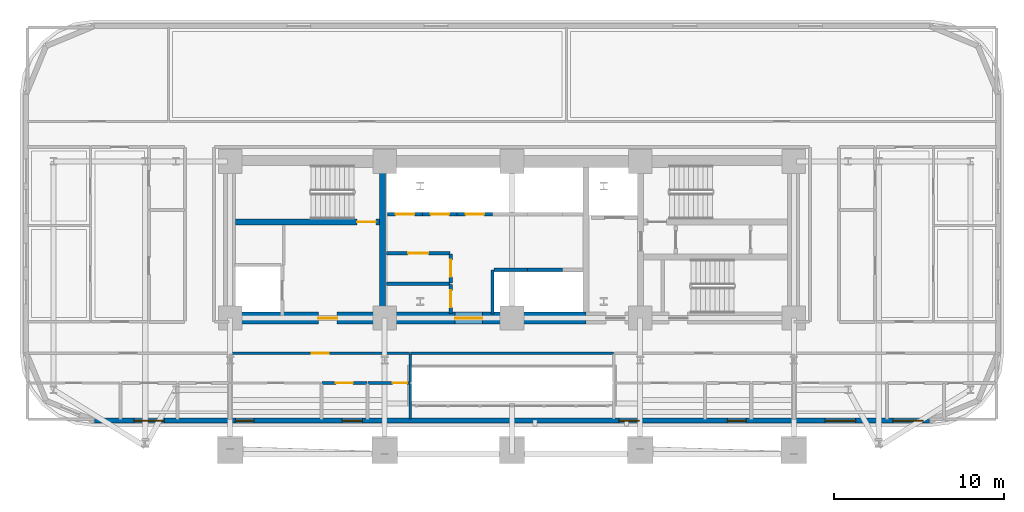
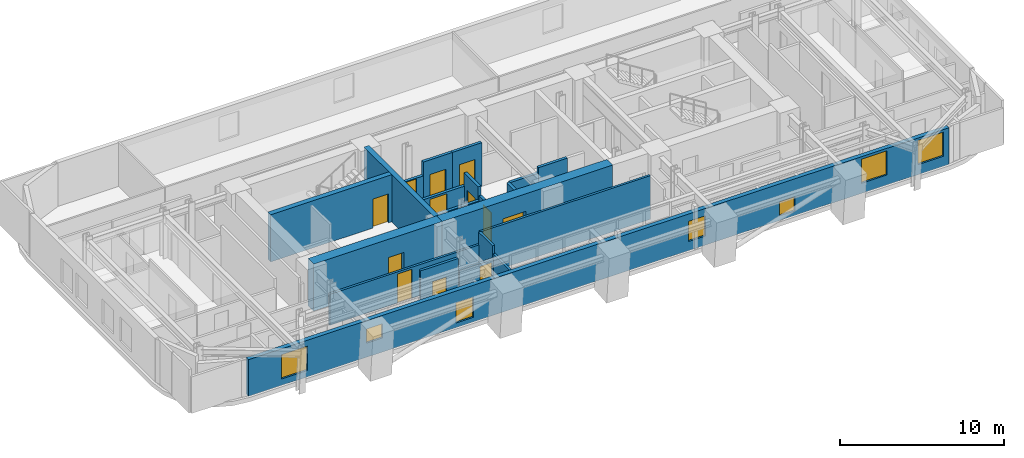
# One storey, part 8 of 15: 21 walls, 12 doors, 7 windows, 19 openings.
"""IFC4 building model written with IfcOpenShell, lengths in metres."""

from ifc_helpers import new_model, si_unit, direction, frame, frame_2d, origin, place, context, subcontext, project, spatial, rectangle, extrude, material, layer, layer_set, type_object, element, fill, save


model = new_model("IFC4")

# Units and contexts
model_context = context("Model", 3, precision=1e-05, world=origin(), true_north=direction((0.0, 1.0)))
body_context = subcontext(model_context, "Body", "Model", "MODEL_VIEW")
ifc_project = project(units=[si_unit("LENGTHUNIT", "METRE"), si_unit("AREAUNIT", "SQUARE_METRE"), si_unit("VOLUMEUNIT", "CUBIC_METRE"), si_unit("PLANEANGLEUNIT", "RADIAN"), si_unit("MASSUNIT", "GRAM", prefix="KILO")], contexts=[model_context])

# Site, building, storey
site_placement = place(None, origin())
site = spatial("IfcSite", under=ifc_project, at=site_placement, CompositionType="ELEMENT")
building_placement = place(site_placement, origin())
building = spatial("IfcBuilding", under=site, at=building_placement, Name="Zarnavel Station Tower", CompositionType="ELEMENT")
storey_placement = place(building_placement, frame((0.0, 0.0, 67.5)))
storey = spatial("IfcBuildingStorey", under=building, at=storey_placement, Name="L18", CompositionType="ELEMENT", Elevation=67.5)

# Wall
ifc_material_1 = material(Name="Concrete C50/60", Category="concrete")
ifc_layer_1 = layer(ifc_material_1, 0.35009765625)
ifc_layer_set_1 = layer_set([ifc_layer_1], Name="CW_350")
wall_type_1 = type_object("IfcWallType", Name="CW_350", PredefinedType="SHEAR", material=ifc_layer_set_1)
wall_1_placement = place(storey_placement, frame((21.179931640625, 28.169921875, 0.0), z_axis=(0.0, 0.0, 1.0), x_axis=(0.0, 1.0, 0.0)))
element("IfcWall", 1, at=wall_1_placement, inside=storey, type_object=wall_type_1, Name="L18 Rear Core Shear Wall DIV-W", PredefinedType="SHEAR", context=body_context, shape_type="SweptSolid", body=[
    extrude(rectangle(XDim=8.530029296875, YDim=0.35009765625, at=frame_2d((4.26513671875, 0.0))), origin(), (0.0, 0.0, 1.0), 3.5),
])

# Wall, opening, door
wall_2_placement = place(storey_placement, frame((21.0048828125, 33.47998046875, 0.0), z_axis=(0.0, 0.0, 1.0), x_axis=(-1.0, 0.0, 0.0)))
wall_2 = element("IfcWall", 2, at=wall_2_placement, inside=storey, type_object=wall_type_1, Name="L18 Rear Core Shear Wall DIV-H1", PredefinedType="SHEAR", context=body_context, shape_type="SweptSolid", body=[
    extrude(rectangle(XDim=8.5048828125, YDim=0.35009765625, at=frame_2d((4.25244140625, 0.0))), origin(), (0.0, 0.0, 1.0), 3.5),
])
opening_1_placement = place(wall_2_placement, frame((0.219970703125, 0.0, 0.0)))
opening_1 = element("IfcOpeningElement", 3, at=opening_1_placement, cuts=wall_2, Name="Opening FD01", PredefinedType="OPENING", context=body_context, shape_type="SweptSolid", body=[
    extrude(rectangle(XDim=1.10009765625, YDim=2.14990234375, at=frame_2d((0.550048828125, 1.074951171875))), frame((0.0, 0.18505859375, 0.0), z_axis=(0.0, -1.0, 0.0), x_axis=(1.0, 0.0, 0.0)), (0.0, 0.0, 1.0), 0.3701171875),
])
ifc_material_2 = material(Name="Painted Galvanised Steel and Hardwood Leaf", Category="steel")
door_type_1 = type_object("IfcDoorType", Name="ID_STAIR_1100", OperationType="NOTDEFINED", PredefinedType="DOOR", material=ifc_material_2)
door_1_placement = place(opening_1_placement, origin())
door_1 = element("IfcDoor", 4, at=door_1_placement, inside=storey, type_object=door_type_1, Name="L18 Stair ST1 Lobby Fire Door", OperationType="SINGLE_SWING_LEFT", OverallHeight=2.14990234375, OverallWidth=1.10009765625, PredefinedType="DOOR", context=body_context, shape_type="SweptSolid", body=[
    extrude(rectangle(XDim=1.10009765625, YDim=2.14990234375, at=frame_2d((0.550048828125, 1.074951171875))), frame((0.0, 0.02490234375, 0.0), z_axis=(0.0, -1.0, 0.0), x_axis=(1.0, 0.0, 0.0)), (0.0, 0.0, 1.0), 0.050048828125),
])
fill(opening_1, door_1)

ifc_material_3 = material(Name="Concrete C60/75", Category="concrete")
ifc_layer_2 = layer(ifc_material_3, 0.699951171875)
ifc_layer_set_2 = layer_set([ifc_layer_2], Name="CW_700")
wall_type_2 = type_object("IfcWallType", Name="CW_700", PredefinedType="SHEAR", material=ifc_layer_set_2)
wall_3_placement = place(storey_placement, frame((21.179931640625, 27.820068359375, 0.0), z_axis=(0.0, 0.0, 1.0), x_axis=(-1.0, 0.0, 0.0)))
wall_3 = element("IfcWall", 5, at=wall_3_placement, inside=storey, type_object=wall_type_2, Name="L18 Rear Core Shear Wall S-W", PredefinedType="SHEAR", context=body_context, shape_type="SweptSolid", body=[
    extrude(rectangle(XDim=9.030029296875, YDim=0.699951171875, at=frame_2d((4.51513671875, 0.0))), origin(), (0.0, 0.0, 1.0), 3.5),
])
opening_2_placement = place(wall_3_placement, frame((2.679931640625, 0.0, 0.0)))
opening_2 = element("IfcOpeningElement", 6, at=opening_2_placement, cuts=wall_3, Name="Opening FD01", PredefinedType="OPENING", context=body_context, shape_type="SweptSolid", body=[
    extrude(rectangle(XDim=1.10009765625, YDim=2.14990234375, at=frame_2d((0.550048828125, 1.074951171875))), frame((0.0, 0.35986328125, 0.0), z_axis=(0.0, -1.0, 0.0), x_axis=(1.0, 0.0, 0.0)), (0.0, 0.0, 1.0), 0.719970703125),
])
door_2_placement = place(opening_2_placement, origin())
door_2 = element("IfcDoor", 7, at=door_2_placement, inside=storey, type_object=door_type_1, Name="L18 West Firefighting Lobby Door", OperationType="SINGLE_SWING_RIGHT", OverallHeight=2.14990234375, OverallWidth=1.10009765625, PredefinedType="DOOR", context=body_context, shape_type="SweptSolid", body=[
    extrude(rectangle(XDim=1.10009765625, YDim=2.14990234375, at=frame_2d((0.550048828125, 1.074951171875))), frame((0.0, 0.02490234375, 0.0), z_axis=(0.0, -1.0, 0.0), x_axis=(1.0, 0.0, 0.0)), (0.0, 0.0, 1.0), 0.050048828125),
])
fill(opening_2, door_2)

wall_4_placement = place(storey_placement, frame((33.14990234375, 27.820068359375, 0.0), z_axis=(0.0, 0.0, 1.0), x_axis=(-1.0, 0.0, 0.0)))
wall_4 = element("IfcWall", 8, at=wall_4_placement, inside=storey, type_object=wall_type_2, Name="L18 Rear Core Shear Wall S-M", PredefinedType="SHEAR", context=body_context, shape_type="SweptSolid", body=[
    extrude(rectangle(XDim=11.969970703125, YDim=0.699951171875, at=frame_2d((5.98486328125, 0.0))), origin(), (0.0, 0.0, 1.0), 3.5),
])
opening_3_placement = place(wall_4_placement, frame((6.10009765625, 0.0, 0.0)))
opening_3 = element("IfcOpeningElement", 9, at=opening_3_placement, cuts=wall_4, Name="Opening ID03", PredefinedType="OPENING", context=body_context, shape_type="SweptSolid", body=[
    extrude(rectangle(XDim=1.60009765625, YDim=2.199951171875, at=frame_2d((0.800048828125, 1.10009765625))), frame((0.0, 0.35986328125, 0.0), z_axis=(0.0, -1.0, 0.0), x_axis=(1.0, 0.0, 0.0)), (0.0, 0.0, 1.0), 0.719970703125),
])
ifc_material_4 = material(Name="Painted Galvanised Steel and Hardwood Leaf", Category="steel")
door_type_2 = type_object("IfcDoorType", Name="ID_PUBLIC_1600", OperationType="DOUBLE_DOOR_SINGLE_SWING", PredefinedType="DOOR", material=ifc_material_4)
door_3_placement = place(opening_3_placement, origin())
door_3 = element("IfcDoor", 10, at=door_3_placement, inside=storey, type_object=door_type_2, Name="L18 Passenger Lift Lobby Double Door", OperationType="SINGLE_SWING_LEFT", OverallHeight=2.199951171875, OverallWidth=1.60009765625, PredefinedType="DOOR", context=body_context, shape_type="SweptSolid", body=[
    extrude(rectangle(XDim=1.60009765625, YDim=2.199951171875, at=frame_2d((0.800048828125, 1.10009765625))), frame((0.0, 0.02490234375, 0.0), z_axis=(0.0, -1.0, 0.0), x_axis=(1.0, 0.0, 0.0)), (0.0, 0.0, 1.0), 0.050048828125),
])
fill(opening_3, door_3)

# Wall, openings, windows
ifc_material_5 = material(Name="Precast concrete C45/55 (Dark Basalt Finish)", Category="masonry")
ifc_layer_3 = layer(ifc_material_5, 0.300048828125)
ifc_layer_set_3 = layer_set([ifc_layer_3], Name="EW_BASALT_300")
wall_type_3 = type_object("IfcWallType", Name="EW_BASALT_300", PredefinedType="SOLIDWALL", material=ifc_layer_set_3)
wall_5_placement = place(storey_placement, frame((53.39990234375, 21.780029296875, 0.0), z_axis=(0.0, 0.0, 1.0), x_axis=(-1.0, 0.0, 0.0)))
wall_5 = element("IfcWall", 11, at=wall_5_placement, inside=storey, type_object=wall_type_3, Name="L18 Exterior Basalt Masonry Frame Wall 12", PredefinedType="SOLIDWALL", context=body_context, shape_type="SweptSolid", body=[
    extrude(rectangle(XDim=49.199951171875, YDim=0.300048828125, at=frame_2d((24.60009765625, 0.0))), origin(), (0.0, 0.0, 1.0), 2.719970703125),
])
opening_4_placement = place(wall_5_placement, frame((45.071533203125, 0.0, 0.47998046875)))
opening_4 = element("IfcOpeningElement", 12, at=opening_4_placement, cuts=wall_5, Name="Opening WN02", PredefinedType="OPENING", context=body_context, shape_type="SweptSolid", body=[
    extrude(rectangle(XDim=1.800048828125, YDim=1.800048828125, at=frame_2d((0.89990234375, 0.89990234375))), frame((0.0, 0.159912109375, 0.0), z_axis=(0.0, -1.0, 0.0), x_axis=(1.0, 0.0, 0.0)), (0.0, 0.0, 1.0), 0.320068359375),
])
opening_5_placement = place(wall_5_placement, frame((39.800048828125, 0.0, 1.050048828125)))
opening_5 = element("IfcOpeningElement", 13, at=opening_5_placement, cuts=wall_5, Name="Opening WN09", PredefinedType="OPENING", context=body_context, shape_type="SweptSolid", body=[
    extrude(rectangle(XDim=1.10009765625, YDim=1.050048828125, at=frame_2d((0.550048828125, 0.52490234375))), frame((0.0, 0.159912109375, 0.0), z_axis=(0.0, -1.0, 0.0), x_axis=(1.0, 0.0, 0.0)), (0.0, 0.0, 1.0), 0.320068359375),
])
opening_6_placement = place(wall_5_placement, frame((33.407958984375, 0.0, 0.340087890625)))
opening_6 = element("IfcOpeningElement", 14, at=opening_6_placement, cuts=wall_5, Name="Opening WN08", PredefinedType="OPENING", context=body_context, shape_type="SweptSolid", body=[
    extrude(rectangle(XDim=1.199951171875, YDim=1.5, at=frame_2d((0.60009765625, 0.75))), frame((0.0, 0.159912109375, 0.0), z_axis=(0.0, -1.0, 0.0), x_axis=(1.0, 0.0, 0.0)), (0.0, 0.0, 1.0), 0.320068359375),
])
opening_7_placement = place(wall_5_placement, frame((17.10009765625, 0.0, 0.679931640625)))
opening_7 = element("IfcOpeningElement", 15, at=opening_7_placement, cuts=wall_5, Name="Opening WN08", PredefinedType="OPENING", context=body_context, shape_type="SweptSolid", body=[
    extrude(rectangle(XDim=1.199951171875, YDim=1.5, at=frame_2d((0.60009765625, 0.75))), frame((0.0, 0.159912109375, 0.0), z_axis=(0.0, -1.0, 0.0), x_axis=(1.0, 0.0, 0.0)), (0.0, 0.0, 1.0), 0.320068359375),
])
opening_8_placement = place(wall_5_placement, frame((10.80810546875, 0.0, 0.340087890625)))
opening_8 = element("IfcOpeningElement", 16, at=opening_8_placement, cuts=wall_5, Name="Opening WN09", PredefinedType="OPENING", context=body_context, shape_type="SweptSolid", body=[
    extrude(rectangle(XDim=1.10009765625, YDim=1.050048828125, at=frame_2d((0.550048828125, 0.52490234375))), frame((0.0, 0.159912109375, 0.0), z_axis=(0.0, -1.0, 0.0), x_axis=(1.0, 0.0, 0.0)), (0.0, 0.0, 1.0), 0.320068359375),
])
opening_9_placement = place(wall_5_placement, frame((4.35400390625, 0.0, 0.739990234375)))
opening_9 = element("IfcOpeningElement", 17, at=opening_9_placement, cuts=wall_5, Name="Opening WN02", PredefinedType="OPENING", context=body_context, shape_type="SweptSolid", body=[
    extrude(rectangle(XDim=1.800048828125, YDim=1.800048828125, at=frame_2d((0.89990234375, 0.89990234375))), frame((0.0, 0.159912109375, 0.0), z_axis=(0.0, -1.0, 0.0), x_axis=(1.0, 0.0, 0.0)), (0.0, 0.0, 1.0), 0.320068359375),
])
opening_10_placement = place(wall_5_placement, frame((0.364013671875, 0.0, 0.739990234375)))
opening_10 = element("IfcOpeningElement", 18, at=opening_10_placement, cuts=wall_5, Name="Opening WN02", PredefinedType="OPENING", context=body_context, shape_type="SweptSolid", body=[
    extrude(rectangle(XDim=1.800048828125, YDim=1.800048828125, at=frame_2d((0.89990234375, 0.89990234375))), frame((0.0, 0.159912109375, 0.0), z_axis=(0.0, -1.0, 0.0), x_axis=(1.0, 0.0, 0.0)), (0.0, 0.0, 1.0), 0.320068359375),
])
ifc_material_6 = material(Name="Thermally Broken Black Aluminium and Low-E Dark Glass", Category="aluminium")
window_type_1 = type_object("IfcWindowType", Name="WN_1100x1050", PartitioningType="SINGLE_PANEL", PredefinedType="WINDOW", material=ifc_material_6)
window_1_placement = place(opening_5_placement, origin())
window_1 = element("IfcWindow", 19, at=window_1_placement, inside=storey, type_object=window_type_1, Name="L18 Recessed Facade Window 02", OverallHeight=1.050048828125, OverallWidth=1.10009765625, PartitioningType="SINGLE_PANEL", PredefinedType="WINDOW", context=body_context, shape_type="SweptSolid", body=[
    extrude(rectangle(XDim=1.10009765625, YDim=1.050048828125, at=frame_2d((0.550048828125, 0.52490234375))), frame((0.0, 0.030029296875, 0.0), z_axis=(0.0, -1.0, 0.0), x_axis=(1.0, 0.0, 0.0)), (0.0, 0.0, 1.0), 0.06005859375),
])
fill(opening_5, window_1)
window_2_placement = place(opening_8_placement, origin())
window_2 = element("IfcWindow", 20, at=window_2_placement, inside=storey, type_object=window_type_1, Name="L18 Recessed Facade Window 05", OverallHeight=1.050048828125, OverallWidth=1.10009765625, PartitioningType="SINGLE_PANEL", PredefinedType="WINDOW", context=body_context, shape_type="SweptSolid", body=[
    extrude(rectangle(XDim=1.10009765625, YDim=1.050048828125, at=frame_2d((0.550048828125, 0.52490234375))), frame((0.0, 0.030029296875, 0.0), z_axis=(0.0, -1.0, 0.0), x_axis=(1.0, 0.0, 0.0)), (0.0, 0.0, 1.0), 0.06005859375),
])
fill(opening_8, window_2)
ifc_material_7 = material(Name="Thermally Broken Black Aluminium and Low-E Dark Glass", Category="aluminium")
window_type_2 = type_object("IfcWindowType", Name="WN_1200x1500", PartitioningType="SINGLE_PANEL", PredefinedType="WINDOW", material=ifc_material_7)
window_3_placement = place(opening_6_placement, origin())
window_3 = element("IfcWindow", 21, at=window_3_placement, inside=storey, type_object=window_type_2, Name="L18 Recessed Facade Window 03", OverallHeight=1.5, OverallWidth=1.199951171875, PartitioningType="SINGLE_PANEL", PredefinedType="WINDOW", context=body_context, shape_type="SweptSolid", body=[
    extrude(rectangle(XDim=1.199951171875, YDim=1.5, at=frame_2d((0.60009765625, 0.75))), frame((0.0, 0.030029296875, 0.0), z_axis=(0.0, -1.0, 0.0), x_axis=(1.0, 0.0, 0.0)), (0.0, 0.0, 1.0), 0.06005859375),
])
fill(opening_6, window_3)
window_4_placement = place(opening_7_placement, origin())
window_4 = element("IfcWindow", 22, at=window_4_placement, inside=storey, type_object=window_type_2, Name="L18 Recessed Facade Window 04", OverallHeight=1.5, OverallWidth=1.199951171875, PartitioningType="SINGLE_PANEL", PredefinedType="WINDOW", context=body_context, shape_type="SweptSolid", body=[
    extrude(rectangle(XDim=1.199951171875, YDim=1.5, at=frame_2d((0.60009765625, 0.75))), frame((0.0, 0.030029296875, 0.0), z_axis=(0.0, -1.0, 0.0), x_axis=(1.0, 0.0, 0.0)), (0.0, 0.0, 1.0), 0.06005859375),
])
fill(opening_7, window_4)
ifc_material_8 = material(Name="Thermally Broken Black Aluminium and Low-E Dark Glass", Category="aluminium")
window_type_3 = type_object("IfcWindowType", Name="WN_1800x1800", PartitioningType="DOUBLE_PANEL_VERTICAL", PredefinedType="WINDOW", material=ifc_material_8)
window_5_placement = place(opening_4_placement, origin())
window_5 = element("IfcWindow", 23, at=window_5_placement, inside=storey, type_object=window_type_3, Name="L18 Recessed Facade Window 01", OverallHeight=1.800048828125, OverallWidth=1.800048828125, PartitioningType="SINGLE_PANEL", PredefinedType="WINDOW", context=body_context, shape_type="SweptSolid", body=[
    extrude(rectangle(XDim=1.800048828125, YDim=1.800048828125, at=frame_2d((0.89990234375, 0.89990234375))), frame((0.0, 0.030029296875, 0.0), z_axis=(0.0, -1.0, 0.0), x_axis=(1.0, 0.0, 0.0)), (0.0, 0.0, 1.0), 0.06005859375),
])
fill(opening_4, window_5)
window_6_placement = place(opening_9_placement, origin())
window_6 = element("IfcWindow", 24, at=window_6_placement, inside=storey, type_object=window_type_3, Name="L18 Recessed Facade Window 06", OverallHeight=1.800048828125, OverallWidth=1.800048828125, PartitioningType="SINGLE_PANEL", PredefinedType="WINDOW", context=body_context, shape_type="SweptSolid", body=[
    extrude(rectangle(XDim=1.800048828125, YDim=1.800048828125, at=frame_2d((0.89990234375, 0.89990234375))), frame((0.0, 0.030029296875, 0.0), z_axis=(0.0, -1.0, 0.0), x_axis=(1.0, 0.0, 0.0)), (0.0, 0.0, 1.0), 0.06005859375),
])
fill(opening_9, window_6)
window_7_placement = place(opening_10_placement, origin())
window_7 = element("IfcWindow", 25, at=window_7_placement, inside=storey, type_object=window_type_3, Name="L18 Recessed Facade Window 07", OverallHeight=1.800048828125, OverallWidth=1.800048828125, PartitioningType="SINGLE_PANEL", PredefinedType="WINDOW", context=body_context, shape_type="SweptSolid", body=[
    extrude(rectangle(XDim=1.800048828125, YDim=1.800048828125, at=frame_2d((0.89990234375, 0.89990234375))), frame((0.0, 0.030029296875, 0.0), z_axis=(0.0, -1.0, 0.0), x_axis=(1.0, 0.0, 0.0)), (0.0, 0.0, 1.0), 0.06005859375),
])
fill(opening_10, window_7)

# Wall, opening, door
ifc_material_9 = material(Name="Gypsum Twin-Stud Acoustic Fire Partition", Category="concrete")
ifc_layer_4 = layer(ifc_material_9, 0.159912109375)
ifc_layer_set_4 = layer_set([ifc_layer_4], Name="PT_DEMISE_160")
wall_type_4 = type_object("IfcWallType", Name="PT_DEMISE_160", PredefinedType="PARTITIONING", material=ifc_layer_set_4)
wall_6_placement = place(storey_placement, frame((12.239990234375, 25.75, 0.0), z_axis=(0.0, 0.0, 1.0), x_axis=(1.0, 0.0, 0.0)))
wall_6 = element("IfcWall", 26, at=wall_6_placement, inside=storey, type_object=wall_type_4, Name="L18 Partition COR-S-UW2LV", PredefinedType="PARTITIONING", context=body_context, shape_type="SweptSolid", body=[
    extrude(rectangle(XDim=10.52001953125, YDim=0.159912109375, at=frame_2d((5.260009765625, 0.0))), origin(), (0.0, 0.0, 1.0), 2.31005859375),
])
opening_11_placement = place(wall_6_placement, frame((4.760009765625, 0.0, 0.0)))
opening_11 = element("IfcOpeningElement", 27, at=opening_11_placement, cuts=wall_6, Name="Opening FD02", PredefinedType="OPENING", context=body_context, shape_type="SweptSolid", body=[
    extrude(rectangle(XDim=1.0, YDim=2.14990234375, at=frame_2d((0.5, 1.074951171875))), frame((0.0, 0.08984375, 0.0), z_axis=(0.0, -1.0, 0.0), x_axis=(1.0, 0.0, 0.0)), (0.0, 0.0, 1.0), 0.179931640625),
])
ifc_material_10 = material(Name="Painted Galvanised Steel and Hardwood Leaf", Category="steel")
door_type_3 = type_object("IfcDoorType", Name="ID_ENTRY_1000", OperationType="NOTDEFINED", PredefinedType="DOOR", material=ifc_material_10)
door_4_placement = place(opening_11_placement, origin())
door_4 = element("IfcDoor", 28, at=door_4_placement, inside=storey, type_object=door_type_3, Name="L18 Door COR-S-UW2LV", OperationType="SINGLE_SWING_LEFT", OverallHeight=2.14990234375, OverallWidth=1.0, PredefinedType="DOOR", context=body_context, shape_type="SweptSolid", body=[
    extrude(rectangle(XDim=1.0, YDim=2.14990234375, at=frame_2d((0.5, 1.074951171875))), frame((0.0, 0.02490234375, 0.0), z_axis=(0.0, -1.0, 0.0), x_axis=(1.0, 0.0, 0.0)), (0.0, 0.0, 1.0), 0.050048828125),
])
fill(opening_11, door_4)

# Walls
wall_7_placement = place(storey_placement, frame((22.830078125, 25.75, 0.0), z_axis=(0.0, 0.0, 1.0), x_axis=(1.0, 0.0, 0.0)))
element("IfcWall", 29, at=wall_7_placement, inside=storey, type_object=wall_type_4, Name="L18 Enclosure Wall COR-S", PredefinedType="PARTITIONING", context=body_context, shape_type="SweptSolid", body=[
    extrude(rectangle(XDim=11.93994140625, YDim=0.159912109375, at=frame_2d((5.969970703125, 0.0))), origin(), (0.0, 0.0, 1.0), 3.239990234375),
])
wall_8_placement = place(storey_placement, frame((22.800048828125, 24.030029296875, 0.0), z_axis=(0.0, 0.0, 1.0), x_axis=(0.0, 1.0, 0.0)))
element("IfcWall", 30, at=wall_8_placement, inside=storey, type_object=wall_type_4, Name="L18 Enclosure Wall UW2LV", PredefinedType="PARTITIONING", context=body_context, shape_type="SweptSolid", body=[
    extrude(rectangle(XDim=1.68994140625, YDim=0.159912109375, at=frame_2d((0.844970703125, 0.0))), origin(), (0.0, 0.0, 1.0), 3.239990234375),
])
wall_9_placement = place(storey_placement, frame((22.800048828125, 21.889892578125, 0.0), z_axis=(0.0, 0.0, 1.0), x_axis=(0.0, 1.0, 0.0)))
element("IfcWall", 31, at=wall_9_placement, inside=storey, type_object=wall_type_4, Name="L18 Enclosure Wall UW2BA", PredefinedType="PARTITIONING", context=body_context, shape_type="SweptSolid", body=[
    extrude(rectangle(XDim=2.080078125, YDim=0.159912109375, at=frame_2d((1.0400390625, 0.0))), origin(), (0.0, 0.0, 1.0), 2.679931640625),
])
ifc_material_11 = material(Name="Precast concrete C45/55 (Fire Shaft Blockwork)", Category="masonry")
ifc_layer_5 = layer(ifc_material_11, 0.199951171875)
ifc_layer_set_5 = layer_set([ifc_layer_5], Name="PT_SHAFT_200")
wall_type_5 = type_object("IfcWallType", Name="PT_SHAFT_200", PredefinedType="PARTITIONING", material=ifc_layer_set_5)
wall_10_placement = place(storey_placement, frame((27.75, 30.669921875, 0.0), z_axis=(0.0, 0.0, 1.0), x_axis=(1.0, 0.0, 0.0)))
element("IfcWall", 32, at=wall_10_placement, inside=storey, type_object=wall_type_5, Name="L18 Lift PL-H1 Shaft Front Wall", PredefinedType="PARTITIONING", context=body_context, shape_type="SweptSolid", body=[
    extrude(rectangle(XDim=1.97509765625, YDim=0.199951171875, at=frame_2d((0.987548828125, 0.0))), origin(), (0.0, 0.0, 1.0), 2.2119140625),
])
wall_11_placement = place(storey_placement, frame((27.64990234375, 28.070068359375, 0.0), z_axis=(0.0, 0.0, 1.0), x_axis=(0.0, 1.0, 0.0)))
element("IfcWall", 33, at=wall_11_placement, inside=storey, type_object=wall_type_5, Name="L18 High-Rise Lift Bank West Shaft Wall", PredefinedType="PARTITIONING", context=body_context, shape_type="SweptSolid", body=[
    extrude(rectangle(XDim=2.579833984375, YDim=0.199951171875, at=frame_2d((1.2900390625, 0.0))), origin(), (0.0, 0.0, 1.0), 2.2119140625),
])
wall_12_placement = place(storey_placement, frame((29.72509765625, 30.669921875, 0.0), z_axis=(0.0, 0.0, 1.0), x_axis=(1.0, 0.0, 0.0)))
element("IfcWall", 34, at=wall_12_placement, inside=storey, type_object=wall_type_5, Name="L18 Lift PL-H2 Shaft Front Wall", PredefinedType="PARTITIONING", context=body_context, shape_type="SweptSolid", body=[
    extrude(rectangle(XDim=2.0498046875, YDim=0.199951171875, at=frame_2d((1.02490234375, 0.0))), origin(), (0.0, 0.0, 1.0), 2.6201171875),
])

# Wall, opening, door
wall_13_placement = place(storey_placement, frame((21.4599609375, 33.929931640625, 0.0), z_axis=(0.0, 0.0, 1.0), x_axis=(1.0, 0.0, 0.0)))
wall_13 = element("IfcWall", 35, at=wall_13_placement, inside=storey, type_object=wall_type_5, Name="L18 Lift PL-L1 Shaft Front Wall", PredefinedType="PARTITIONING", context=body_context, shape_type="SweptSolid", body=[
    extrude(rectangle(XDim=2.06494140625, YDim=0.199951171875, at=frame_2d((1.032470703125, 0.0))), origin(), (0.0, 0.0, 1.0), 2.2119140625),
])
opening_12_placement = place(wall_13_placement, frame((0.482421875, 0.0, 0.0)))
opening_12 = element("IfcOpeningElement", 36, at=opening_12_placement, cuts=wall_13, Name="Opening LD02", PredefinedType="OPENING", context=body_context, shape_type="SweptSolid", body=[
    extrude(rectangle(XDim=1.10009765625, YDim=2.14990234375, at=frame_2d((0.550048828125, 1.074951171875))), frame((0.0, 0.10986328125, 0.0), z_axis=(0.0, -1.0, 0.0), x_axis=(1.0, 0.0, 0.0)), (0.0, 0.0, 1.0), 0.219970703125),
])
ifc_material_12 = material(Name="Painted Galvanised Steel and Hardwood Leaf", Category="steel")
door_type_4 = type_object("IfcDoorType", Name="LD_PAX_1100", OperationType="DOUBLE_DOOR_SLIDING", PredefinedType="DOOR", material=ifc_material_12)
door_5_placement = place(opening_12_placement, origin())
door_5 = element("IfcDoor", 37, at=door_5_placement, inside=storey, type_object=door_type_4, Name="L18 Lift PL-L1 Sliding Landing Door", OperationType="DOUBLE_DOOR_SLIDING", OverallHeight=2.14990234375, OverallWidth=1.10009765625, PredefinedType="DOOR", context=body_context, shape_type="SweptSolid", body=[
    extrude(rectangle(XDim=1.10009765625, YDim=2.14990234375, at=frame_2d((0.550048828125, 1.074951171875))), frame((0.0, 0.02490234375, 0.0), z_axis=(0.0, -1.0, 0.0), x_axis=(1.0, 0.0, 0.0)), (0.0, 0.0, 1.0), 0.050048828125),
])
fill(opening_12, door_5)

wall_14_placement = place(storey_placement, frame((23.52490234375, 33.929931640625, 0.0), z_axis=(0.0, 0.0, 1.0), x_axis=(1.0, 0.0, 0.0)))
wall_14 = element("IfcWall", 38, at=wall_14_placement, inside=storey, type_object=wall_type_5, Name="L18 Lift PL-L2 Shaft Front Wall", PredefinedType="PARTITIONING", context=body_context, shape_type="SweptSolid", body=[
    extrude(rectangle(XDim=2.050048828125, YDim=0.199951171875, at=frame_2d((1.02490234375, 0.0))), origin(), (0.0, 0.0, 1.0), 3.239990234375),
])
opening_13_placement = place(wall_14_placement, frame((0.47509765625, 0.0, 0.0)))
opening_13 = element("IfcOpeningElement", 39, at=opening_13_placement, cuts=wall_14, Name="Opening LD02", PredefinedType="OPENING", context=body_context, shape_type="SweptSolid", body=[
    extrude(rectangle(XDim=1.10009765625, YDim=2.14990234375, at=frame_2d((0.550048828125, 1.074951171875))), frame((0.0, 0.10986328125, 0.0), z_axis=(0.0, -1.0, 0.0), x_axis=(1.0, 0.0, 0.0)), (0.0, 0.0, 1.0), 0.219970703125),
])
door_6_placement = place(opening_13_placement, origin())
door_6 = element("IfcDoor", 40, at=door_6_placement, inside=storey, type_object=door_type_4, Name="L18 Lift PL-L2 Sliding Landing Door", OperationType="DOUBLE_DOOR_SLIDING", OverallHeight=2.14990234375, OverallWidth=1.10009765625, PredefinedType="DOOR", context=body_context, shape_type="SweptSolid", body=[
    extrude(rectangle(XDim=1.10009765625, YDim=2.14990234375, at=frame_2d((0.550048828125, 1.074951171875))), frame((0.0, 0.02490234375, 0.0), z_axis=(0.0, -1.0, 0.0), x_axis=(1.0, 0.0, 0.0)), (0.0, 0.0, 1.0), 0.050048828125),
])
fill(opening_13, door_6)

wall_15_placement = place(storey_placement, frame((25.574951171875, 33.929931640625, 0.0), z_axis=(0.0, 0.0, 1.0), x_axis=(1.0, 0.0, 0.0)))
wall_15 = element("IfcWall", 41, at=wall_15_placement, inside=storey, type_object=wall_type_5, Name="L18 Lift PL-L3 Shaft Front Wall", PredefinedType="PARTITIONING", context=body_context, shape_type="SweptSolid", body=[
    extrude(rectangle(XDim=2.074951171875, YDim=0.199951171875, at=frame_2d((1.03759765625, 0.0))), origin(), (0.0, 0.0, 1.0), 3.239990234375),
])
opening_14_placement = place(wall_15_placement, frame((0.487548828125, 0.0, 0.0)))
opening_14 = element("IfcOpeningElement", 42, at=opening_14_placement, cuts=wall_15, Name="Opening LD02", PredefinedType="OPENING", context=body_context, shape_type="SweptSolid", body=[
    extrude(rectangle(XDim=1.10009765625, YDim=2.14990234375, at=frame_2d((0.550048828125, 1.074951171875))), frame((0.0, 0.10986328125, 0.0), z_axis=(0.0, -1.0, 0.0), x_axis=(1.0, 0.0, 0.0)), (0.0, 0.0, 1.0), 0.219970703125),
])
door_7_placement = place(opening_14_placement, origin())
door_7 = element("IfcDoor", 43, at=door_7_placement, inside=storey, type_object=door_type_4, Name="L18 Lift PL-L3 Sliding Landing Door", OperationType="DOUBLE_DOOR_SLIDING", OverallHeight=2.14990234375, OverallWidth=1.10009765625, PredefinedType="DOOR", context=body_context, shape_type="SweptSolid", body=[
    extrude(rectangle(XDim=1.10009765625, YDim=2.14990234375, at=frame_2d((0.550048828125, 1.074951171875))), frame((0.0, 0.02490234375, 0.0), z_axis=(0.0, -1.0, 0.0), x_axis=(1.0, 0.0, 0.0)), (0.0, 0.0, 1.0), 0.050048828125),
])
fill(opening_14, door_7)

wall_16_placement = place(storey_placement, frame((21.39990234375, 31.64990234375, 0.0), z_axis=(0.0, 0.0, 1.0), x_axis=(1.0, 0.0, 0.0)))
wall_16 = element("IfcWall", 44, at=wall_16_placement, inside=storey, type_object=wall_type_5, Name="L18 Partition LLOB-CS2", PredefinedType="PARTITIONING", context=body_context, shape_type="SweptSolid", body=[
    extrude(rectangle(XDim=3.760009765625, YDim=0.199951171875, at=frame_2d((1.8798828125, 0.0))), origin(), (0.0, 0.0, 1.0), 2.280029296875),
])
opening_15_placement = place(wall_16_placement, frame((1.280029296875, 0.0, 0.0)))
opening_15 = element("IfcOpeningElement", 45, at=opening_15_placement, cuts=wall_16, Name="Opening FD03", PredefinedType="OPENING", context=body_context, shape_type="SweptSolid", body=[
    extrude(rectangle(XDim=1.199951171875, YDim=2.14990234375, at=frame_2d((0.60009765625, 1.074951171875))), frame((0.0, 0.10986328125, 0.0), z_axis=(0.0, -1.0, 0.0), x_axis=(1.0, 0.0, 0.0)), (0.0, 0.0, 1.0), 0.219970703125),
])
ifc_material_13 = material(Name="Painted Galvanised Steel and Hardwood Leaf", Category="steel")
door_type_5 = type_object("IfcDoorType", Name="ID_PLANT_1200", OperationType="NOTDEFINED", PredefinedType="DOOR", material=ifc_material_13)
door_8_placement = place(opening_15_placement, origin())
door_8 = element("IfcDoor", 46, at=door_8_placement, inside=storey, type_object=door_type_5, Name="L18 Door LLOB-CS2", OperationType="SINGLE_SWING_LEFT", OverallHeight=2.14990234375, OverallWidth=1.199951171875, PredefinedType="DOOR", context=body_context, shape_type="SweptSolid", body=[
    extrude(rectangle(XDim=1.199951171875, YDim=2.14990234375, at=frame_2d((0.60009765625, 1.074951171875))), frame((0.0, 0.02490234375, 0.0), z_axis=(0.0, -1.0, 0.0), x_axis=(1.0, 0.0, 0.0)), (0.0, 0.0, 1.0), 0.050048828125),
])
fill(opening_15, door_8)

wall_17_placement = place(storey_placement, frame((25.199951171875, 28.090087890625, 0.0), z_axis=(0.0, 0.0, 1.0), x_axis=(0.0, 1.0, 0.0)))
wall_17 = element("IfcWall", 47, at=wall_17_placement, inside=storey, type_object=wall_type_5, Name="L18 Partition LLOBS-CS1", PredefinedType="PARTITIONING", context=body_context, shape_type="SweptSolid", body=[
    extrude(rectangle(XDim=1.719970703125, YDim=0.199951171875, at=frame_2d((0.85986328125, 0.0))), origin(), (0.0, 0.0, 1.0), 2.6201171875),
])
opening_16_placement = place(wall_17_placement, frame((0.360107421875, 0.0, 0.0)))
opening_16 = element("IfcOpeningElement", 48, at=opening_16_placement, cuts=wall_17, Name="Opening FD02", PredefinedType="OPENING", context=body_context, shape_type="SweptSolid", body=[
    extrude(rectangle(XDim=1.0, YDim=2.14990234375, at=frame_2d((0.5, 1.074951171875))), frame((0.0, 0.10986328125, 0.0), z_axis=(0.0, -1.0, 0.0), x_axis=(1.0, 0.0, 0.0)), (0.0, 0.0, 1.0), 0.219970703125),
])
door_9_placement = place(opening_16_placement, origin())
door_9 = element("IfcDoor", 49, at=door_9_placement, inside=storey, type_object=door_type_3, Name="L18 Door LLOBS-CS1", OperationType="SINGLE_SWING_RIGHT", OverallHeight=2.14990234375, OverallWidth=1.0, PredefinedType="DOOR", context=body_context, shape_type="SweptSolid", body=[
    extrude(rectangle(XDim=1.0, YDim=2.14990234375, at=frame_2d((0.5, 1.074951171875))), frame((0.0, 0.02490234375, 0.0), z_axis=(0.0, -1.0, 0.0), x_axis=(1.0, 0.0, 0.0)), (0.0, 0.0, 1.0), 0.050048828125),
])
fill(opening_16, door_9)

wall_18_placement = place(storey_placement, frame((25.199951171875, 29.889892578125, 0.0), z_axis=(0.0, 0.0, 1.0), x_axis=(0.0, 1.0, 0.0)))
wall_18 = element("IfcWall", 50, at=wall_18_placement, inside=storey, type_object=wall_type_5, Name="L18 Partition LLOBS-CS2", PredefinedType="PARTITIONING", context=body_context, shape_type="SweptSolid", body=[
    extrude(rectangle(XDim=1.72021484375, YDim=0.199951171875, at=frame_2d((0.860107421875, 0.0))), origin(), (0.0, 0.0, 1.0), 3.239990234375),
])
opening_17_placement = place(wall_18_placement, frame((0.360107421875, 0.0, 0.0)))
opening_17 = element("IfcOpeningElement", 51, at=opening_17_placement, cuts=wall_18, Name="Opening FD02", PredefinedType="OPENING", context=body_context, shape_type="SweptSolid", body=[
    extrude(rectangle(XDim=1.0, YDim=2.14990234375, at=frame_2d((0.5, 1.074951171875))), frame((0.0, 0.10986328125, 0.0), z_axis=(0.0, -1.0, 0.0), x_axis=(1.0, 0.0, 0.0)), (0.0, 0.0, 1.0), 0.219970703125),
])
door_10_placement = place(opening_17_placement, origin())
door_10 = element("IfcDoor", 52, at=door_10_placement, inside=storey, type_object=door_type_3, Name="L18 Door LLOBS-CS2", OperationType="SINGLE_SWING_LEFT", OverallHeight=2.14990234375, OverallWidth=1.0, PredefinedType="DOOR", context=body_context, shape_type="SweptSolid", body=[
    extrude(rectangle(XDim=1.0, YDim=2.14990234375, at=frame_2d((0.5, 1.074951171875))), frame((0.0, 0.02490234375, 0.0), z_axis=(0.0, -1.0, 0.0), x_axis=(1.0, 0.0, 0.0)), (0.0, 0.0, 1.0), 0.050048828125),
])
fill(opening_17, door_10)

# Wall
wall_19_placement = place(storey_placement, frame((21.39990234375, 29.85009765625, 0.0), z_axis=(0.0, 0.0, 1.0), x_axis=(1.0, 0.0, 0.0)))
element("IfcWall", 53, at=wall_19_placement, inside=storey, type_object=wall_type_5, Name="L18 Partition CS1-CS2", PredefinedType="PARTITIONING", context=body_context, shape_type="SweptSolid", body=[
    extrude(rectangle(XDim=3.760009765625, YDim=0.199951171875, at=frame_2d((1.8798828125, 0.0))), origin(), (0.0, 0.0, 1.0), 2.280029296875),
])

# Wall, opening, door
ifc_material_14 = material(Name="Moisture-Resistant Plumbing Chase Wall", Category="concrete")
ifc_layer_6 = layer(ifc_material_14, 0.179931640625)
ifc_layer_set_6 = layer_set([ifc_layer_6], Name="PW_PLUMB_180")
wall_type_6 = type_object("IfcWallType", Name="PW_PLUMB_180", PredefinedType="PLUMBINGWALL", material=ifc_layer_set_6)
wall_20_placement = place(storey_placement, frame((17.614013671875, 24.0, 0.0), z_axis=(0.0, 0.0, 1.0), x_axis=(1.0, 0.0, 0.0)))
wall_20 = element("IfcWall", 54, at=wall_20_placement, inside=storey, type_object=wall_type_6, Name="L18 Partition UW2LV-UW2KT", PredefinedType="PLUMBINGWALL", context=body_context, shape_type="SweptSolid", body=[
    extrude(rectangle(XDim=2.637939453125, YDim=0.179931640625, at=frame_2d((1.31884765625, 0.0))), origin(), (0.0, 0.0, 1.0), 3.239990234375),
])
opening_18_placement = place(wall_20_placement, frame((0.819091796875, 0.0, 0.0)))
opening_18 = element("IfcOpeningElement", 55, at=opening_18_placement, cuts=wall_20, Name="Opening FD02", PredefinedType="OPENING", context=body_context, shape_type="SweptSolid", body=[
    extrude(rectangle(XDim=1.0, YDim=2.14990234375, at=frame_2d((0.5, 1.074951171875))), frame((0.0, 0.099853515625, 0.0), z_axis=(0.0, -1.0, 0.0), x_axis=(1.0, 0.0, 0.0)), (0.0, 0.0, 1.0), 0.199951171875),
])
door_11_placement = place(opening_18_placement, origin())
door_11 = element("IfcDoor", 56, at=door_11_placement, inside=storey, type_object=door_type_3, Name="L18 Door UW2LV-UW2KT", OperationType="SINGLE_SWING_LEFT", OverallHeight=2.14990234375, OverallWidth=1.0, PredefinedType="DOOR", context=body_context, shape_type="SweptSolid", body=[
    extrude(rectangle(XDim=1.0, YDim=2.14990234375, at=frame_2d((0.5, 1.074951171875))), frame((0.0, 0.02490234375, 0.0), z_axis=(0.0, -1.0, 0.0), x_axis=(1.0, 0.0, 0.0)), (0.0, 0.0, 1.0), 0.050048828125),
])
fill(opening_18, door_11)

wall_21_placement = place(storey_placement, frame((20.33203125, 24.0, 0.0), z_axis=(0.0, 0.0, 1.0), x_axis=(1.0, 0.0, 0.0)))
wall_21 = element("IfcWall", 57, at=wall_21_placement, inside=storey, type_object=wall_type_6, Name="L18 Partition UW2LV-UW2BA", PredefinedType="PLUMBINGWALL", context=body_context, shape_type="SweptSolid", body=[
    extrude(rectangle(XDim=2.427978515625, YDim=0.179931640625, at=frame_2d((1.2138671875, 0.0))), origin(), (0.0, 0.0, 1.0), 2.31005859375),
])
opening_19_placement = place(wall_21_placement, frame((1.43798828125, 0.0, 0.0)))
opening_19 = element("IfcOpeningElement", 58, at=opening_19_placement, cuts=wall_21, Name="Opening ID02", PredefinedType="OPENING", context=body_context, shape_type="SweptSolid", body=[
    extrude(rectangle(XDim=0.85009765625, YDim=2.10009765625, at=frame_2d((0.425048828125, 1.050048828125))), frame((0.0, 0.099853515625, 0.0), z_axis=(0.0, -1.0, 0.0), x_axis=(1.0, 0.0, 0.0)), (0.0, 0.0, 1.0), 0.199951171875),
])
ifc_material_15 = material(Name="Painted Galvanised Steel and Hardwood Leaf", Category="steel")
door_type_6 = type_object("IfcDoorType", Name="ID_BATH_850", OperationType="NOTDEFINED", PredefinedType="DOOR", material=ifc_material_15)
door_12_placement = place(opening_19_placement, origin())
door_12 = element("IfcDoor", 59, at=door_12_placement, inside=storey, type_object=door_type_6, Name="L18 Door UW2LV-UW2BA", OperationType="SINGLE_SWING_RIGHT", OverallHeight=2.10009765625, OverallWidth=0.85009765625, PredefinedType="DOOR", context=body_context, shape_type="SweptSolid", body=[
    extrude(rectangle(XDim=0.85009765625, YDim=2.10009765625, at=frame_2d((0.425048828125, 1.050048828125))), frame((0.0, 0.02490234375, 0.0), z_axis=(0.0, -1.0, 0.0), x_axis=(1.0, 0.0, 0.0)), (0.0, 0.0, 1.0), 0.050048828125),
])
fill(opening_19, door_12)

save(model, "model.ifc")
